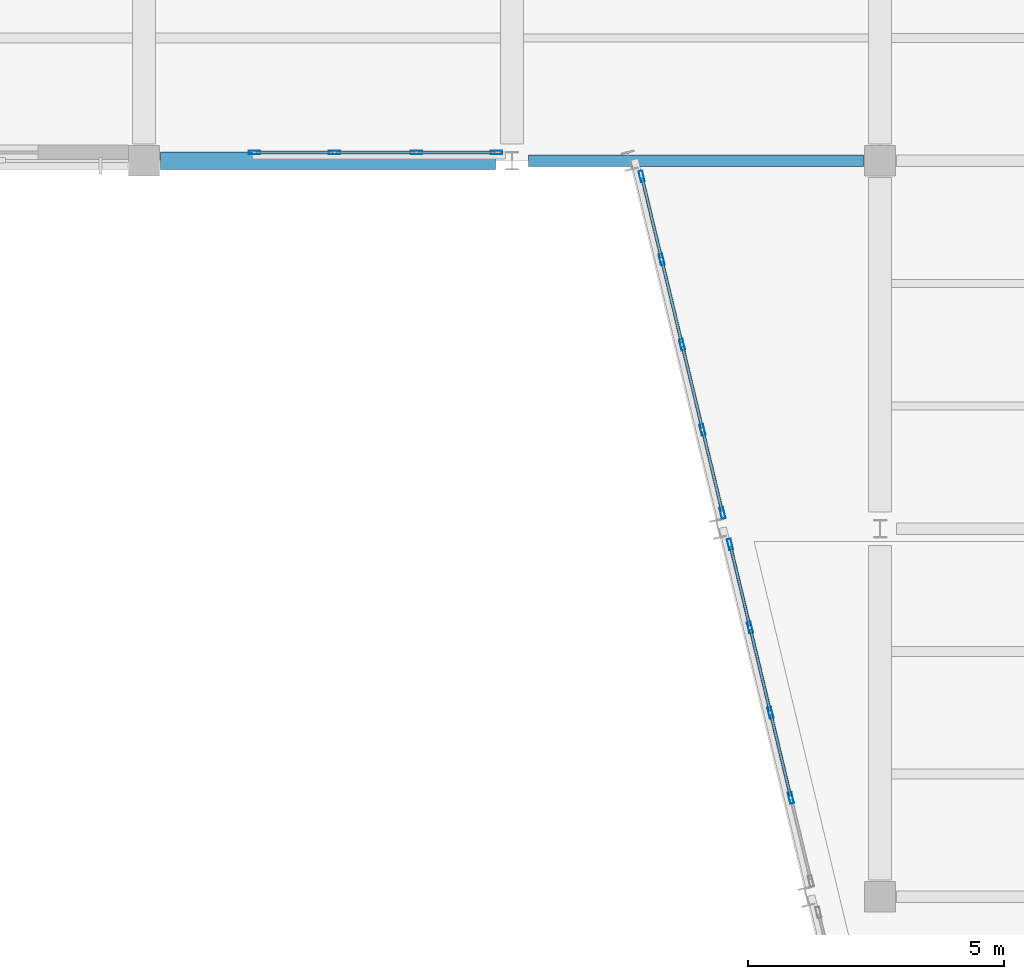
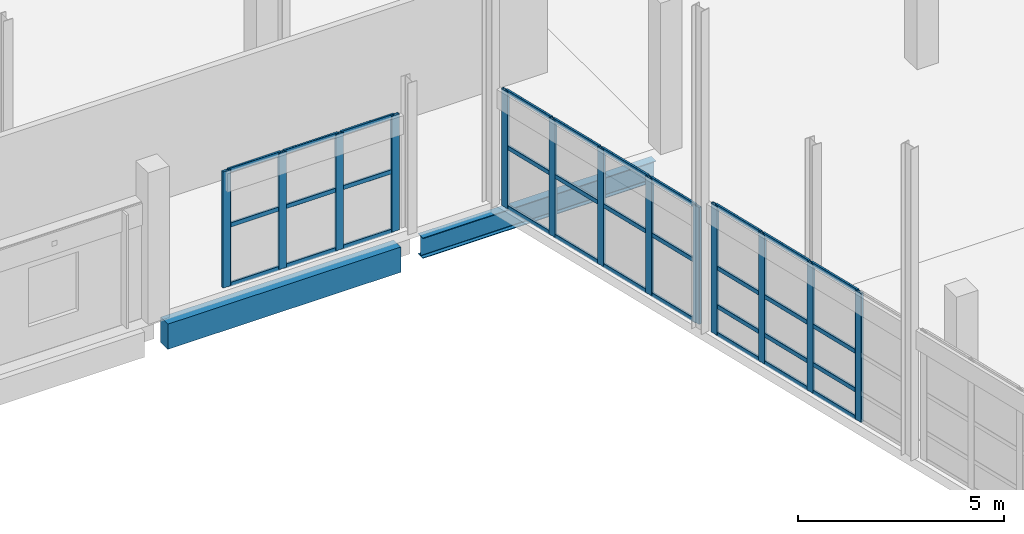
# One storey, part 56 of 123: 46 members, 2 beams, 3 elements without a shape of their own.
"""IFC4 building model written with IfcOpenShell, lengths in metres."""

from ifc_helpers import new_model, si_unit, direction, frame, origin, origin_2d, place, context, subcontext, project, spatial, rectangle, hollow_rectangle, i_section, extrude, material, material_profile, profile_set, type_object, element, aggregate, save


model = new_model("IFC4")

# Units and contexts
model_context = context("Model", 3, precision=1e-05, world=origin(), true_north=direction((0.0, 1.0)))
body_context = subcontext(model_context, "Body", "Model", "MODEL_VIEW")
ifc_project = project(units=[si_unit("LENGTHUNIT", "METRE"), si_unit("AREAUNIT", "SQUARE_METRE"), si_unit("VOLUMEUNIT", "CUBIC_METRE"), si_unit("PLANEANGLEUNIT", "RADIAN"), si_unit("MASSUNIT", "GRAM", prefix="KILO")], contexts=[model_context])

# Site, building, storey
site_placement = place(None, origin())
site = spatial("IfcSite", under=ifc_project, at=site_placement, CompositionType="ELEMENT")
building_placement = place(site_placement, origin())
building = spatial("IfcBuilding", under=site, at=building_placement, Name="Kalmorath City Hall", CompositionType="ELEMENT")
storey_placement = place(building_placement, frame((0.0, 0.0, 10.199951171875)))
storey = spatial("IfcBuildingStorey", under=building, at=storey_placement, Name="L02", CompositionType="ELEMENT", Elevation=10.199951171875)

# Curtain wall, members
ifc_material_1 = material(Name="Anodised aluminium and laminated glass", Category="aluminium")
curtain_wall_type_1 = type_object("IfcCurtainWallType", Name="Unitised hurricane curtain wall 6849x3835 M1850", PredefinedType="NOTDEFINED", material=ifc_material_1)
curtain_wall_1_placement = place(storey_placement, origin())
curtain_wall_1 = element("IfcCurtainWall", 1, at=curtain_wall_1_placement, inside=storey, type_object=curtain_wall_type_1, Name="L02 curtain wall CW-68X38M18 #130", PredefinedType="NOTDEFINED")
ifc_material_2 = material(Name="Anodised aluminium framing", Category="aluminium")
ifc_material_profile_1 = material_profile(ifc_material_2, hollow_rectangle(XDim=0.06005859375, YDim=0.1298828125, WallThickness=0.00341796875, InnerFilletRadius=0.00341796875, OuterFilletRadius=0.007080078125, at=origin_2d()), Name="ALU-TRN-130X60X3.5")
ifc_profile_set_1 = profile_set([ifc_material_profile_1], Name="Anodised aluminium framing")
member_type_1 = type_object("IfcMemberType", Name="Curtain-wall courtyard transom 130x60", PredefinedType="USERDEFINED", material=ifc_profile_set_1)
member_1_placement = place(storey_placement, frame((127.84814453125, 81.17138671875, 0.030029296875), z_axis=(-0.233508300868, 0.972354808404, 0.0), x_axis=(-0.972354808404, -0.233508300868, 0.0)))
member_1 = element("IfcMember", 2, at=member_1_placement, type_object=member_type_1, Name="CW-68X38M18 transom 2.1", ObjectType="TRANSOM", PredefinedType="USERDEFINED", context=body_context, shape_type="SweptSolid", body=[
    extrude(hollow_rectangle(XDim=0.06005859375, YDim=0.1298828125, WallThickness=0.00341796875, InnerFilletRadius=0.00341796875, OuterFilletRadius=0.007080078125, at=origin_2d()), origin(), (0.0, 0.0, 1.0), 1.63720703125),
])
member_2_placement = place(storey_placement, frame((127.84814453125, 81.17138671875, 0.85009765625), z_axis=(-0.233508300868, 0.972354808404, 0.0), x_axis=(-0.972354808404, -0.233508300868, 0.0)))
member_2 = element("IfcMember", 3, at=member_2_placement, type_object=member_type_1, Name="CW-68X38M18 transom 2.2", ObjectType="TRANSOM", PredefinedType="USERDEFINED", context=body_context, shape_type="SweptSolid", body=[
    extrude(hollow_rectangle(XDim=0.06005859375, YDim=0.1298828125, WallThickness=0.00341796875, InnerFilletRadius=0.00341796875, OuterFilletRadius=0.007080078125, at=origin_2d()), origin(), (0.0, 0.0, 1.0), 1.63720703125),
])
member_3_placement = place(storey_placement, frame((127.84814453125, 81.17138671875, 1.994140625), z_axis=(-0.233508300868, 0.972354808404, 0.0), x_axis=(-0.972354808404, -0.233508300868, 0.0)))
member_3 = element("IfcMember", 4, at=member_3_placement, type_object=member_type_1, Name="CW-68X38M18 transom 2.3", ObjectType="TRANSOM", PredefinedType="USERDEFINED", context=body_context, shape_type="SweptSolid", body=[
    extrude(hollow_rectangle(XDim=0.06005859375, YDim=0.1298828125, WallThickness=0.00341796875, InnerFilletRadius=0.00341796875, OuterFilletRadius=0.007080078125, at=origin_2d()), origin(), (0.0, 0.0, 1.0), 1.63720703125),
])
member_4_placement = place(storey_placement, frame((127.84814453125, 81.17138671875, 3.804931640625), z_axis=(-0.233508300868, 0.972354808404, 0.0), x_axis=(-0.972354808404, -0.233508300868, 0.0)))
member_4 = element("IfcMember", 5, at=member_4_placement, type_object=member_type_1, Name="CW-68X38M18 transom 2.4", ObjectType="TRANSOM", PredefinedType="USERDEFINED", context=body_context, shape_type="SweptSolid", body=[
    extrude(hollow_rectangle(XDim=0.06005859375, YDim=0.1298828125, WallThickness=0.00341796875, InnerFilletRadius=0.00341796875, OuterFilletRadius=0.007080078125, at=origin_2d()), origin(), (0.0, 0.0, 1.0), 1.63720703125),
])
member_5_placement = place(storey_placement, frame((127.4482421875, 82.83642578125, 0.030029296875), z_axis=(-0.233367312665, 0.972388655518, 0.0), x_axis=(-0.972388655518, -0.233367312665, 0.0)))
member_5 = element("IfcMember", 6, at=member_5_placement, type_object=member_type_1, Name="CW-68X38M18 transom 3.1", ObjectType="TRANSOM", PredefinedType="USERDEFINED", context=body_context, shape_type="SweptSolid", body=[
    extrude(hollow_rectangle(XDim=0.06005859375, YDim=0.1298828125, WallThickness=0.00341796875, InnerFilletRadius=0.00341796875, OuterFilletRadius=0.007080078125, at=origin_2d()), origin(), (0.0, 0.0, 1.0), 1.63720703125),
])
member_6_placement = place(storey_placement, frame((127.4482421875, 82.83642578125, 0.85009765625), z_axis=(-0.233367312665, 0.972388655518, 0.0), x_axis=(-0.972388655518, -0.233367312665, 0.0)))
member_6 = element("IfcMember", 7, at=member_6_placement, type_object=member_type_1, Name="CW-68X38M18 transom 3.2", ObjectType="TRANSOM", PredefinedType="USERDEFINED", context=body_context, shape_type="SweptSolid", body=[
    extrude(hollow_rectangle(XDim=0.06005859375, YDim=0.1298828125, WallThickness=0.00341796875, InnerFilletRadius=0.00341796875, OuterFilletRadius=0.007080078125, at=origin_2d()), origin(), (0.0, 0.0, 1.0), 1.63720703125),
])
member_7_placement = place(storey_placement, frame((127.4482421875, 82.83642578125, 1.994140625), z_axis=(-0.233367312665, 0.972388655518, 0.0), x_axis=(-0.972388655518, -0.233367312665, 0.0)))
member_7 = element("IfcMember", 8, at=member_7_placement, type_object=member_type_1, Name="CW-68X38M18 transom 3.3", ObjectType="TRANSOM", PredefinedType="USERDEFINED", context=body_context, shape_type="SweptSolid", body=[
    extrude(hollow_rectangle(XDim=0.06005859375, YDim=0.1298828125, WallThickness=0.00341796875, InnerFilletRadius=0.00341796875, OuterFilletRadius=0.007080078125, at=origin_2d()), origin(), (0.0, 0.0, 1.0), 1.63720703125),
])
member_8_placement = place(storey_placement, frame((127.4482421875, 82.83642578125, 3.804931640625), z_axis=(-0.233367312665, 0.972388655518, 0.0), x_axis=(-0.972388655518, -0.233367312665, 0.0)))
member_8 = element("IfcMember", 9, at=member_8_placement, type_object=member_type_1, Name="CW-68X38M18 transom 3.4", ObjectType="TRANSOM", PredefinedType="USERDEFINED", context=body_context, shape_type="SweptSolid", body=[
    extrude(hollow_rectangle(XDim=0.06005859375, YDim=0.1298828125, WallThickness=0.00341796875, InnerFilletRadius=0.00341796875, OuterFilletRadius=0.007080078125, at=origin_2d()), origin(), (0.0, 0.0, 1.0), 1.63720703125),
])
member_9_placement = place(storey_placement, frame((127.048583984375, 84.50146484375, 0.030029296875), z_axis=(-0.233476838675, 0.972362363423, 0.0), x_axis=(-0.972362363423, -0.233476838675, 0.0)))
member_9 = element("IfcMember", 10, at=member_9_placement, type_object=member_type_1, Name="CW-68X38M18 transom 4.1", ObjectType="TRANSOM", PredefinedType="USERDEFINED", context=body_context, shape_type="SweptSolid", body=[
    extrude(hollow_rectangle(XDim=0.06005859375, YDim=0.1298828125, WallThickness=0.00341796875, InnerFilletRadius=0.00341796875, OuterFilletRadius=0.007080078125, at=origin_2d()), origin(), (0.0, 0.0, 1.0), 1.599853515625),
])
member_10_placement = place(storey_placement, frame((127.048583984375, 84.50146484375, 0.85009765625), z_axis=(-0.233476838675, 0.972362363423, 0.0), x_axis=(-0.972362363423, -0.233476838675, 0.0)))
member_10 = element("IfcMember", 11, at=member_10_placement, type_object=member_type_1, Name="CW-68X38M18 transom 4.2", ObjectType="TRANSOM", PredefinedType="USERDEFINED", context=body_context, shape_type="SweptSolid", body=[
    extrude(hollow_rectangle(XDim=0.06005859375, YDim=0.1298828125, WallThickness=0.00341796875, InnerFilletRadius=0.00341796875, OuterFilletRadius=0.007080078125, at=origin_2d()), origin(), (0.0, 0.0, 1.0), 1.599853515625),
])
member_11_placement = place(storey_placement, frame((127.048583984375, 84.50146484375, 1.994140625), z_axis=(-0.233476838675, 0.972362363423, 0.0), x_axis=(-0.972362363423, -0.233476838675, 0.0)))
member_11 = element("IfcMember", 12, at=member_11_placement, type_object=member_type_1, Name="CW-68X38M18 transom 4.3", ObjectType="TRANSOM", PredefinedType="USERDEFINED", context=body_context, shape_type="SweptSolid", body=[
    extrude(hollow_rectangle(XDim=0.06005859375, YDim=0.1298828125, WallThickness=0.00341796875, InnerFilletRadius=0.00341796875, OuterFilletRadius=0.007080078125, at=origin_2d()), origin(), (0.0, 0.0, 1.0), 1.599853515625),
])
member_12_placement = place(storey_placement, frame((127.048583984375, 84.50146484375, 3.804931640625), z_axis=(-0.233476838675, 0.972362363423, 0.0), x_axis=(-0.972362363423, -0.233476838675, 0.0)))
member_12 = element("IfcMember", 13, at=member_12_placement, type_object=member_type_1, Name="CW-68X38M18 transom 4.4", ObjectType="TRANSOM", PredefinedType="USERDEFINED", context=body_context, shape_type="SweptSolid", body=[
    extrude(hollow_rectangle(XDim=0.06005859375, YDim=0.1298828125, WallThickness=0.00341796875, InnerFilletRadius=0.00341796875, OuterFilletRadius=0.007080078125, at=origin_2d()), origin(), (0.0, 0.0, 1.0), 1.599853515625),
])

ifc_material_3 = material(Name="Anodised aluminium and laminated glass", Category="aluminium")
curtain_wall_type_2 = type_object("IfcCurtainWallType", Name="Unitised hurricane curtain wall 6849x3471 M1850", PredefinedType="NOTDEFINED", material=ifc_material_3)
curtain_wall_2_placement = place(storey_placement, origin())
curtain_wall_2 = element("IfcCurtainWall", 14, at=curtain_wall_2_placement, inside=storey, type_object=curtain_wall_type_2, Name="L02 curtain wall CW-68X35M18 #131", PredefinedType="NOTDEFINED")
member_13_placement = place(storey_placement, frame((126.510498046875, 86.742919921875, 0.030029296875), z_axis=(-0.233476838675, 0.972362363423, 0.0), x_axis=(-0.972362363423, -0.233476838675, 0.0)))
member_13 = element("IfcMember", 15, at=member_13_placement, type_object=member_type_1, Name="CW-68X35M18 transom 1.1", ObjectType="TRANSOM", PredefinedType="USERDEFINED", context=body_context, shape_type="SweptSolid", body=[
    extrude(hollow_rectangle(XDim=0.06005859375, YDim=0.1298828125, WallThickness=0.00341796875, InnerFilletRadius=0.00341796875, OuterFilletRadius=0.007080078125, at=origin_2d()), origin(), (0.0, 0.0, 1.0), 1.599853515625),
])
member_14_placement = place(storey_placement, frame((126.510498046875, 86.742919921875, 1.804931640625), z_axis=(-0.233476838675, 0.972362363423, 0.0), x_axis=(-0.972362363423, -0.233476838675, 0.0)))
member_14 = element("IfcMember", 16, at=member_14_placement, type_object=member_type_1, Name="CW-68X35M18 transom 1.2", ObjectType="TRANSOM", PredefinedType="USERDEFINED", context=body_context, shape_type="SweptSolid", body=[
    extrude(hollow_rectangle(XDim=0.06005859375, YDim=0.1298828125, WallThickness=0.00341796875, InnerFilletRadius=0.00341796875, OuterFilletRadius=0.007080078125, at=origin_2d()), origin(), (0.0, 0.0, 1.0), 1.599853515625),
])
member_15_placement = place(storey_placement, frame((126.510498046875, 86.742919921875, 3.441162109375), z_axis=(-0.233476838675, 0.972362363423, 0.0), x_axis=(-0.972362363423, -0.233476838675, 0.0)))
member_15 = element("IfcMember", 17, at=member_15_placement, type_object=member_type_1, Name="CW-68X35M18 transom 1.3", ObjectType="TRANSOM", PredefinedType="USERDEFINED", context=body_context, shape_type="SweptSolid", body=[
    extrude(hollow_rectangle(XDim=0.06005859375, YDim=0.1298828125, WallThickness=0.00341796875, InnerFilletRadius=0.00341796875, OuterFilletRadius=0.007080078125, at=origin_2d()), origin(), (0.0, 0.0, 1.0), 1.599853515625),
])
member_16_placement = place(storey_placement, frame((126.119384765625, 88.37158203125, 0.030029296875), z_axis=(-0.233367312665, 0.972388655518, 0.0), x_axis=(-0.972388655518, -0.233367312665, 0.0)))
member_16 = element("IfcMember", 18, at=member_16_placement, type_object=member_type_1, Name="CW-68X35M18 transom 2.1", ObjectType="TRANSOM", PredefinedType="USERDEFINED", context=body_context, shape_type="SweptSolid", body=[
    extrude(hollow_rectangle(XDim=0.06005859375, YDim=0.1298828125, WallThickness=0.00341796875, InnerFilletRadius=0.00341796875, OuterFilletRadius=0.007080078125, at=origin_2d()), origin(), (0.0, 0.0, 1.0), 1.63720703125),
])
member_17_placement = place(storey_placement, frame((126.119384765625, 88.37158203125, 1.804931640625), z_axis=(-0.233367312665, 0.972388655518, 0.0), x_axis=(-0.972388655518, -0.233367312665, 0.0)))
member_17 = element("IfcMember", 19, at=member_17_placement, type_object=member_type_1, Name="CW-68X35M18 transom 2.2", ObjectType="TRANSOM", PredefinedType="USERDEFINED", context=body_context, shape_type="SweptSolid", body=[
    extrude(hollow_rectangle(XDim=0.06005859375, YDim=0.1298828125, WallThickness=0.00341796875, InnerFilletRadius=0.00341796875, OuterFilletRadius=0.007080078125, at=origin_2d()), origin(), (0.0, 0.0, 1.0), 1.63720703125),
])
member_18_placement = place(storey_placement, frame((126.119384765625, 88.37158203125, 3.441162109375), z_axis=(-0.233367312665, 0.972388655518, 0.0), x_axis=(-0.972388655518, -0.233367312665, 0.0)))
member_18 = element("IfcMember", 20, at=member_18_placement, type_object=member_type_1, Name="CW-68X35M18 transom 2.3", ObjectType="TRANSOM", PredefinedType="USERDEFINED", context=body_context, shape_type="SweptSolid", body=[
    extrude(hollow_rectangle(XDim=0.06005859375, YDim=0.1298828125, WallThickness=0.00341796875, InnerFilletRadius=0.00341796875, OuterFilletRadius=0.007080078125, at=origin_2d()), origin(), (0.0, 0.0, 1.0), 1.63720703125),
])
member_19_placement = place(storey_placement, frame((125.7197265625, 90.036376953125, 0.030029296875), z_axis=(-0.233508300868, 0.972354808404, 0.0), x_axis=(-0.972354808404, -0.233508300868, 0.0)))
member_19 = element("IfcMember", 21, at=member_19_placement, type_object=member_type_1, Name="CW-68X35M18 transom 3.1", ObjectType="TRANSOM", PredefinedType="USERDEFINED", context=body_context, shape_type="SweptSolid", body=[
    extrude(hollow_rectangle(XDim=0.06005859375, YDim=0.1298828125, WallThickness=0.00341796875, InnerFilletRadius=0.00341796875, OuterFilletRadius=0.007080078125, at=origin_2d()), origin(), (0.0, 0.0, 1.0), 1.63720703125),
])
member_20_placement = place(storey_placement, frame((125.7197265625, 90.036376953125, 1.804931640625), z_axis=(-0.233508300868, 0.972354808404, 0.0), x_axis=(-0.972354808404, -0.233508300868, 0.0)))
member_20 = element("IfcMember", 22, at=member_20_placement, type_object=member_type_1, Name="CW-68X35M18 transom 3.2", ObjectType="TRANSOM", PredefinedType="USERDEFINED", context=body_context, shape_type="SweptSolid", body=[
    extrude(hollow_rectangle(XDim=0.06005859375, YDim=0.1298828125, WallThickness=0.00341796875, InnerFilletRadius=0.00341796875, OuterFilletRadius=0.007080078125, at=origin_2d()), origin(), (0.0, 0.0, 1.0), 1.63720703125),
])
member_21_placement = place(storey_placement, frame((125.7197265625, 90.036376953125, 3.441162109375), z_axis=(-0.233508300868, 0.972354808404, 0.0), x_axis=(-0.972354808404, -0.233508300868, 0.0)))
member_21 = element("IfcMember", 23, at=member_21_placement, type_object=member_type_1, Name="CW-68X35M18 transom 3.3", ObjectType="TRANSOM", PredefinedType="USERDEFINED", context=body_context, shape_type="SweptSolid", body=[
    extrude(hollow_rectangle(XDim=0.06005859375, YDim=0.1298828125, WallThickness=0.00341796875, InnerFilletRadius=0.00341796875, OuterFilletRadius=0.007080078125, at=origin_2d()), origin(), (0.0, 0.0, 1.0), 1.63720703125),
])
member_22_placement = place(storey_placement, frame((125.320068359375, 91.701416015625, 0.030029296875), z_axis=(-0.233476838675, 0.972362363423, 0.0), x_axis=(-0.972362363423, -0.233476838675, 0.0)))
member_22 = element("IfcMember", 24, at=member_22_placement, type_object=member_type_1, Name="CW-68X35M18 transom 4.1", ObjectType="TRANSOM", PredefinedType="USERDEFINED", context=body_context, shape_type="SweptSolid", body=[
    extrude(hollow_rectangle(XDim=0.06005859375, YDim=0.1298828125, WallThickness=0.00341796875, InnerFilletRadius=0.00341796875, OuterFilletRadius=0.007080078125, at=origin_2d()), origin(), (0.0, 0.0, 1.0), 1.599853515625),
])
member_23_placement = place(storey_placement, frame((125.320068359375, 91.701416015625, 1.804931640625), z_axis=(-0.233476838675, 0.972362363423, 0.0), x_axis=(-0.972362363423, -0.233476838675, 0.0)))
member_23 = element("IfcMember", 25, at=member_23_placement, type_object=member_type_1, Name="CW-68X35M18 transom 4.2", ObjectType="TRANSOM", PredefinedType="USERDEFINED", context=body_context, shape_type="SweptSolid", body=[
    extrude(hollow_rectangle(XDim=0.06005859375, YDim=0.1298828125, WallThickness=0.00341796875, InnerFilletRadius=0.00341796875, OuterFilletRadius=0.007080078125, at=origin_2d()), origin(), (0.0, 0.0, 1.0), 1.599853515625),
])
member_24_placement = place(storey_placement, frame((125.320068359375, 91.701416015625, 3.441162109375), z_axis=(-0.233476838675, 0.972362363423, 0.0), x_axis=(-0.972362363423, -0.233476838675, 0.0)))
member_24 = element("IfcMember", 26, at=member_24_placement, type_object=member_type_1, Name="CW-68X35M18 transom 4.3", ObjectType="TRANSOM", PredefinedType="USERDEFINED", context=body_context, shape_type="SweptSolid", body=[
    extrude(hollow_rectangle(XDim=0.06005859375, YDim=0.1298828125, WallThickness=0.00341796875, InnerFilletRadius=0.00341796875, OuterFilletRadius=0.007080078125, at=origin_2d()), origin(), (0.0, 0.0, 1.0), 1.599853515625),
])

ifc_material_4 = material(Name="Anodised aluminium and laminated glass", Category="aluminium")
curtain_wall_type_3 = type_object("IfcCurtainWallType", Name="Unitised hurricane curtain wall 4811x3451 M1850", PredefinedType="NOTDEFINED", material=ifc_material_4)
curtain_wall_3_placement = place(storey_placement, origin())
curtain_wall_3 = element("IfcCurtainWall", 27, at=curtain_wall_3_placement, inside=storey, type_object=curtain_wall_type_3, Name="L02 curtain wall CW-48X35M18 #132", PredefinedType="NOTDEFINED")
member_25_placement = place(storey_placement, frame((122.05859375, 93.760009765625, 0.030029296875), z_axis=(-1.0, 0.0, 0.0), x_axis=(0.0, -1.0, 0.0)))
member_25 = element("IfcMember", 28, at=member_25_placement, type_object=member_type_1, Name="CW-48X35M18 transom 1.1", ObjectType="TRANSOM", PredefinedType="USERDEFINED", context=body_context, shape_type="SweptSolid", body=[
    extrude(hollow_rectangle(XDim=0.06005859375, YDim=0.1298828125, WallThickness=0.00341796875, InnerFilletRadius=0.00341796875, OuterFilletRadius=0.007080078125, at=origin_2d()), origin(), (0.0, 0.0, 1.0), 1.4912109375),
])
member_26_placement = place(storey_placement, frame((122.05859375, 93.760009765625, 1.795166015625), z_axis=(-1.0, 0.0, 0.0), x_axis=(0.0, -1.0, 0.0)))
member_26 = element("IfcMember", 29, at=member_26_placement, type_object=member_type_1, Name="CW-48X35M18 transom 1.2", ObjectType="TRANSOM", PredefinedType="USERDEFINED", context=body_context, shape_type="SweptSolid", body=[
    extrude(hollow_rectangle(XDim=0.06005859375, YDim=0.1298828125, WallThickness=0.00341796875, InnerFilletRadius=0.00341796875, OuterFilletRadius=0.007080078125, at=origin_2d()), origin(), (0.0, 0.0, 1.0), 1.4912109375),
])
member_27_placement = place(storey_placement, frame((122.05859375, 93.760009765625, 3.421142578125), z_axis=(-1.0, 0.0, 0.0), x_axis=(0.0, -1.0, 0.0)))
member_27 = element("IfcMember", 30, at=member_27_placement, type_object=member_type_1, Name="CW-48X35M18 transom 1.3", ObjectType="TRANSOM", PredefinedType="USERDEFINED", context=body_context, shape_type="SweptSolid", body=[
    extrude(hollow_rectangle(XDim=0.06005859375, YDim=0.1298828125, WallThickness=0.00341796875, InnerFilletRadius=0.00341796875, OuterFilletRadius=0.007080078125, at=origin_2d()), origin(), (0.0, 0.0, 1.0), 1.4912109375),
])
member_28_placement = place(storey_placement, frame((120.492431640625, 93.760009765625, 0.030029296875), z_axis=(-1.0, 0.0, 0.0), x_axis=(0.0, -1.0, 0.0)))
member_28 = element("IfcMember", 31, at=member_28_placement, type_object=member_type_1, Name="CW-48X35M18 transom 2.1", ObjectType="TRANSOM", PredefinedType="USERDEFINED", context=body_context, shape_type="SweptSolid", body=[
    extrude(hollow_rectangle(XDim=0.06005859375, YDim=0.1298828125, WallThickness=0.00341796875, InnerFilletRadius=0.00341796875, OuterFilletRadius=0.007080078125, at=origin_2d()), origin(), (0.0, 0.0, 1.0), 1.528564453125),
])
member_29_placement = place(storey_placement, frame((120.492431640625, 93.760009765625, 1.795166015625), z_axis=(-1.0, 0.0, 0.0), x_axis=(0.0, -1.0, 0.0)))
member_29 = element("IfcMember", 32, at=member_29_placement, type_object=member_type_1, Name="CW-48X35M18 transom 2.2", ObjectType="TRANSOM", PredefinedType="USERDEFINED", context=body_context, shape_type="SweptSolid", body=[
    extrude(hollow_rectangle(XDim=0.06005859375, YDim=0.1298828125, WallThickness=0.00341796875, InnerFilletRadius=0.00341796875, OuterFilletRadius=0.007080078125, at=origin_2d()), origin(), (0.0, 0.0, 1.0), 1.528564453125),
])
member_30_placement = place(storey_placement, frame((120.492431640625, 93.760009765625, 3.421142578125), z_axis=(-1.0, 0.0, 0.0), x_axis=(0.0, -1.0, 0.0)))
member_30 = element("IfcMember", 33, at=member_30_placement, type_object=member_type_1, Name="CW-48X35M18 transom 2.3", ObjectType="TRANSOM", PredefinedType="USERDEFINED", context=body_context, shape_type="SweptSolid", body=[
    extrude(hollow_rectangle(XDim=0.06005859375, YDim=0.1298828125, WallThickness=0.00341796875, InnerFilletRadius=0.00341796875, OuterFilletRadius=0.007080078125, at=origin_2d()), origin(), (0.0, 0.0, 1.0), 1.528564453125),
])
member_31_placement = place(storey_placement, frame((118.888916015625, 93.760009765625, 0.030029296875), z_axis=(-1.0, 0.0, 0.0), x_axis=(0.0, -1.0, 0.0)))
member_31 = element("IfcMember", 34, at=member_31_placement, type_object=member_type_1, Name="CW-48X35M18 transom 3.1", ObjectType="TRANSOM", PredefinedType="USERDEFINED", context=body_context, shape_type="SweptSolid", body=[
    extrude(hollow_rectangle(XDim=0.06005859375, YDim=0.1298828125, WallThickness=0.00341796875, InnerFilletRadius=0.00341796875, OuterFilletRadius=0.007080078125, at=origin_2d()), origin(), (0.0, 0.0, 1.0), 1.4912109375),
])
member_32_placement = place(storey_placement, frame((118.888916015625, 93.760009765625, 1.795166015625), z_axis=(-1.0, 0.0, 0.0), x_axis=(0.0, -1.0, 0.0)))
member_32 = element("IfcMember", 35, at=member_32_placement, type_object=member_type_1, Name="CW-48X35M18 transom 3.2", ObjectType="TRANSOM", PredefinedType="USERDEFINED", context=body_context, shape_type="SweptSolid", body=[
    extrude(hollow_rectangle(XDim=0.06005859375, YDim=0.1298828125, WallThickness=0.00341796875, InnerFilletRadius=0.00341796875, OuterFilletRadius=0.007080078125, at=origin_2d()), origin(), (0.0, 0.0, 1.0), 1.4912109375),
])
member_33_placement = place(storey_placement, frame((118.888916015625, 93.760009765625, 3.421142578125), z_axis=(-1.0, 0.0, 0.0), x_axis=(0.0, -1.0, 0.0)))
member_33 = element("IfcMember", 36, at=member_33_placement, type_object=member_type_1, Name="CW-48X35M18 transom 3.3", ObjectType="TRANSOM", PredefinedType="USERDEFINED", context=body_context, shape_type="SweptSolid", body=[
    extrude(hollow_rectangle(XDim=0.06005859375, YDim=0.1298828125, WallThickness=0.00341796875, InnerFilletRadius=0.00341796875, OuterFilletRadius=0.007080078125, at=origin_2d()), origin(), (0.0, 0.0, 1.0), 1.4912109375),
])

# Member
ifc_material_5 = material(Name="Anodised aluminium framing", Category="aluminium")
ifc_material_profile_2 = material_profile(ifc_material_5, hollow_rectangle(XDim=0.074951171875, YDim=0.219970703125, WallThickness=0.00390625, InnerFilletRadius=0.00390625, OuterFilletRadius=0.008056640625, at=origin_2d()), Name="ALU-MUL-220X75X4")
ifc_profile_set_2 = profile_set([ifc_material_profile_2], Name="Anodised aluminium framing")
member_type_2 = type_object("IfcMemberType", Name="Curtain-wall primary mullion 220x75", PredefinedType="MULLION", material=ifc_profile_set_2)
member_34_placement = place(storey_placement, frame((127.85693359375, 81.135009765625, 0.0), z_axis=(0.0, 0.0, 1.0), x_axis=(-0.97236741933, -0.233455781305, 0.0)))
member_34 = element("IfcMember", 37, at=member_34_placement, type_object=member_type_2, Name="CW-68X38M18 mullion 2", PredefinedType="MULLION", context=body_context, shape_type="SweptSolid", body=[
    extrude(hollow_rectangle(XDim=0.074951171875, YDim=0.219970703125, WallThickness=0.00390625, InnerFilletRadius=0.00390625, OuterFilletRadius=0.008056640625, at=origin_2d()), origin(), (0.0, 0.0, 1.0), 3.8349609375),
])

member_35_placement = place(storey_placement, frame((127.45703125, 82.800048828125, 0.0), z_axis=(0.0, 0.0, 1.0), x_axis=(-0.97236741933, -0.233455781305, 0.0)))
member_35 = element("IfcMember", 38, at=member_35_placement, type_object=member_type_2, Name="CW-68X38M18 mullion 3", PredefinedType="MULLION", context=body_context, shape_type="SweptSolid", body=[
    extrude(hollow_rectangle(XDim=0.074951171875, YDim=0.219970703125, WallThickness=0.00390625, InnerFilletRadius=0.00390625, OuterFilletRadius=0.008056640625, at=origin_2d()), origin(), (0.0, 0.0, 1.0), 3.8349609375),
])

member_36_placement = place(storey_placement, frame((127.057373046875, 84.465087890625, 0.0), z_axis=(0.0, 0.0, 1.0), x_axis=(-0.97236741933, -0.233455781305, 0.0)))
member_36 = element("IfcMember", 39, at=member_36_placement, type_object=member_type_2, Name="CW-68X38M18 mullion 4", PredefinedType="MULLION", context=body_context, shape_type="SweptSolid", body=[
    extrude(hollow_rectangle(XDim=0.074951171875, YDim=0.219970703125, WallThickness=0.00390625, InnerFilletRadius=0.00390625, OuterFilletRadius=0.008056640625, at=origin_2d()), origin(), (0.0, 0.0, 1.0), 3.8349609375),
])

member_37_placement = place(storey_placement, frame((126.666259765625, 86.093505859375, 0.0), z_axis=(0.0, 0.0, 1.0), x_axis=(-0.97236741933, -0.233455781305, 0.0)))
member_37 = element("IfcMember", 40, at=member_37_placement, type_object=member_type_2, Name="CW-68X38M18 mullion 5", PredefinedType="MULLION", context=body_context, shape_type="SweptSolid", body=[
    extrude(hollow_rectangle(XDim=0.074951171875, YDim=0.219970703125, WallThickness=0.00390625, InnerFilletRadius=0.00390625, OuterFilletRadius=0.008056640625, at=origin_2d()), origin(), (0.0, 0.0, 1.0), 3.8349609375),
])

aggregate(curtain_wall_1, [member_34, member_35, member_36, member_37, member_1, member_2, member_3, member_4, member_5, member_6, member_7, member_8, member_9, member_10, member_11, member_12])

member_38_placement = place(storey_placement, frame((126.519287109375, 86.70654296875, 0.0), z_axis=(0.0, 0.0, 1.0), x_axis=(-0.97236741933, -0.233455781305, 0.0)))
member_38 = element("IfcMember", 41, at=member_38_placement, type_object=member_type_2, Name="CW-68X35M18 mullion 1", PredefinedType="MULLION", context=body_context, shape_type="SweptSolid", body=[
    extrude(hollow_rectangle(XDim=0.074951171875, YDim=0.219970703125, WallThickness=0.00390625, InnerFilletRadius=0.00390625, OuterFilletRadius=0.008056640625, at=origin_2d()), origin(), (0.0, 0.0, 1.0), 3.470947265625),
])

member_39_placement = place(storey_placement, frame((126.128173828125, 88.3349609375, 0.0), z_axis=(0.0, 0.0, 1.0), x_axis=(-0.97236741933, -0.233455781305, 0.0)))
member_39 = element("IfcMember", 42, at=member_39_placement, type_object=member_type_2, Name="CW-68X35M18 mullion 2", PredefinedType="MULLION", context=body_context, shape_type="SweptSolid", body=[
    extrude(hollow_rectangle(XDim=0.074951171875, YDim=0.219970703125, WallThickness=0.00390625, InnerFilletRadius=0.00390625, OuterFilletRadius=0.008056640625, at=origin_2d()), origin(), (0.0, 0.0, 1.0), 3.470947265625),
])

member_40_placement = place(storey_placement, frame((125.728515625, 90.0, 0.0), z_axis=(0.0, 0.0, 1.0), x_axis=(-0.97236741933, -0.233455781305, 0.0)))
member_40 = element("IfcMember", 43, at=member_40_placement, type_object=member_type_2, Name="CW-68X35M18 mullion 3", PredefinedType="MULLION", context=body_context, shape_type="SweptSolid", body=[
    extrude(hollow_rectangle(XDim=0.074951171875, YDim=0.219970703125, WallThickness=0.00390625, InnerFilletRadius=0.00390625, OuterFilletRadius=0.008056640625, at=origin_2d()), origin(), (0.0, 0.0, 1.0), 3.470947265625),
])

member_41_placement = place(storey_placement, frame((125.328857421875, 91.6650390625, 0.0), z_axis=(0.0, 0.0, 1.0), x_axis=(-0.97236741933, -0.233455781305, 0.0)))
member_41 = element("IfcMember", 44, at=member_41_placement, type_object=member_type_2, Name="CW-68X35M18 mullion 4", PredefinedType="MULLION", context=body_context, shape_type="SweptSolid", body=[
    extrude(hollow_rectangle(XDim=0.074951171875, YDim=0.219970703125, WallThickness=0.00390625, InnerFilletRadius=0.00390625, OuterFilletRadius=0.008056640625, at=origin_2d()), origin(), (0.0, 0.0, 1.0), 3.470947265625),
])

member_42_placement = place(storey_placement, frame((124.937744140625, 93.29345703125, 0.0), z_axis=(0.0, 0.0, 1.0), x_axis=(-0.97236741933, -0.233455781305, 0.0)))
member_42 = element("IfcMember", 45, at=member_42_placement, type_object=member_type_2, Name="CW-68X35M18 mullion 5", PredefinedType="MULLION", context=body_context, shape_type="SweptSolid", body=[
    extrude(hollow_rectangle(XDim=0.074951171875, YDim=0.219970703125, WallThickness=0.00390625, InnerFilletRadius=0.00390625, OuterFilletRadius=0.008056640625, at=origin_2d()), origin(), (0.0, 0.0, 1.0), 3.470947265625),
])

aggregate(curtain_wall_2, [member_38, member_39, member_40, member_41, member_42, member_13, member_14, member_15, member_16, member_17, member_18, member_19, member_20, member_21, member_22, member_23, member_24])

member_43_placement = place(storey_placement, frame((122.095947265625, 93.760009765625, 0.0), z_axis=(0.0, 0.0, 1.0), x_axis=(0.0, -1.0, 0.0)))
member_43 = element("IfcMember", 46, at=member_43_placement, type_object=member_type_2, Name="CW-48X35M18 mullion 1", PredefinedType="MULLION", context=body_context, shape_type="SweptSolid", body=[
    extrude(hollow_rectangle(XDim=0.074951171875, YDim=0.219970703125, WallThickness=0.00390625, InnerFilletRadius=0.00390625, OuterFilletRadius=0.008056640625, at=origin_2d()), origin(), (0.0, 0.0, 1.0), 3.450927734375),
])

member_44_placement = place(storey_placement, frame((120.52978515625, 93.760009765625, 0.0), z_axis=(0.0, 0.0, 1.0), x_axis=(0.0, -1.0, 0.0)))
member_44 = element("IfcMember", 47, at=member_44_placement, type_object=member_type_2, Name="CW-48X35M18 mullion 2", PredefinedType="MULLION", context=body_context, shape_type="SweptSolid", body=[
    extrude(hollow_rectangle(XDim=0.074951171875, YDim=0.219970703125, WallThickness=0.00390625, InnerFilletRadius=0.00390625, OuterFilletRadius=0.008056640625, at=origin_2d()), origin(), (0.0, 0.0, 1.0), 3.450927734375),
])

member_45_placement = place(storey_placement, frame((118.92626953125, 93.760009765625, 0.0), z_axis=(0.0, 0.0, 1.0), x_axis=(0.0, -1.0, 0.0)))
member_45 = element("IfcMember", 48, at=member_45_placement, type_object=member_type_2, Name="CW-48X35M18 mullion 3", PredefinedType="MULLION", context=body_context, shape_type="SweptSolid", body=[
    extrude(hollow_rectangle(XDim=0.074951171875, YDim=0.219970703125, WallThickness=0.00390625, InnerFilletRadius=0.00390625, OuterFilletRadius=0.008056640625, at=origin_2d()), origin(), (0.0, 0.0, 1.0), 3.450927734375),
])

member_46_placement = place(storey_placement, frame((117.360107421875, 93.760009765625, 0.0), z_axis=(0.0, 0.0, 1.0), x_axis=(0.0, -1.0, 0.0)))
member_46 = element("IfcMember", 49, at=member_46_placement, type_object=member_type_2, Name="CW-48X35M18 mullion 4", PredefinedType="MULLION", context=body_context, shape_type="SweptSolid", body=[
    extrude(hollow_rectangle(XDim=0.074951171875, YDim=0.219970703125, WallThickness=0.00390625, InnerFilletRadius=0.00390625, OuterFilletRadius=0.008056640625, at=origin_2d()), origin(), (0.0, 0.0, 1.0), 3.450927734375),
])

aggregate(curtain_wall_3, [member_43, member_44, member_45, member_46, member_25, member_26, member_27, member_28, member_29, member_30, member_31, member_32, member_33])

# Beams
ifc_material_6 = material(Name="Precast concrete C40/50", Category="concrete")
ifc_material_profile_3 = material_profile(ifc_material_6, rectangle(XDim=0.35009765625, YDim=0.75, at=origin_2d()), Name="PC-SP-350X750")
ifc_profile_set_3 = profile_set([ifc_material_profile_3], Name="Precast concrete C40/50")
beam_type_1 = type_object("IfcBeamType", Name="Precast spandrel lintel 350x750", PredefinedType="LINTEL", material=ifc_profile_set_3)
beam_1_placement = place(storey_placement, frame((115.52490234375, 93.60009765625, -0.658935546875), z_axis=(1.0, 0.0, 0.0), x_axis=(0.0, 1.0, 0.0)))
element("IfcBeam", 50, at=beam_1_placement, inside=storey, type_object=beam_type_1, Name="L02 girder PSB1 X17-18/14", PredefinedType="LINTEL", context=body_context, shape_type="SweptSolid", body=[
    extrude(rectangle(XDim=0.35009765625, YDim=0.75, at=origin_2d()), origin(), (0.0, 0.0, 1.0), 6.550048828125),
])
ifc_material_7 = material(Name="Steel ASTM A992 Grade 50", Category="steel")
ifc_material_profile_4 = material_profile(ifc_material_7, i_section(OverallWidth=0.22900390625, OverallDepth=0.612060546875, WebThickness=0.011962890625, FlangeThickness=0.01953125, FilletRadius=0.01611328125, at=origin_2d()), Name="W24X84")
ifc_profile_set_4 = profile_set([ifc_material_profile_4], Name="Steel ASTM A992 Grade 50")
beam_type_2 = type_object("IfcBeamType", Name="Steel floor girder W24X84", PredefinedType="BEAM", material=ifc_profile_set_4)
beam_2_placement = place(storey_placement, frame((122.72509765625, 93.60009765625, -0.58984375), z_axis=(1.0, 0.0, 0.0), x_axis=(0.0, 1.0, 0.0)))
element("IfcBeam", 51, at=beam_2_placement, inside=storey, type_object=beam_type_2, Name="L02 girder SG8 X18-19/14", PredefinedType="BEAM", context=body_context, shape_type="SweptSolid", body=[
    extrude(i_section(OverallWidth=0.22900390625, OverallDepth=0.612060546875, WebThickness=0.011962890625, FlangeThickness=0.01953125, FilletRadius=0.01611328125, at=origin_2d()), origin(), (0.0, 0.0, 1.0), 6.5498046875),
])

save(model, "model.ifc")
